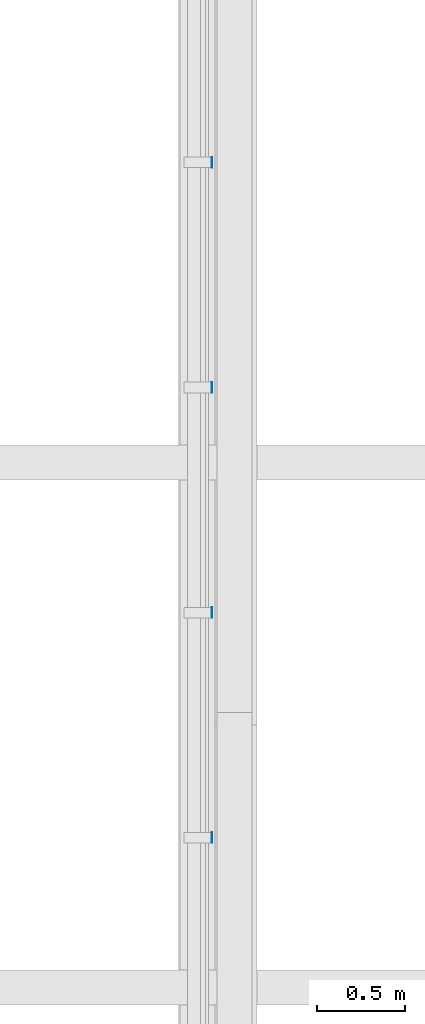
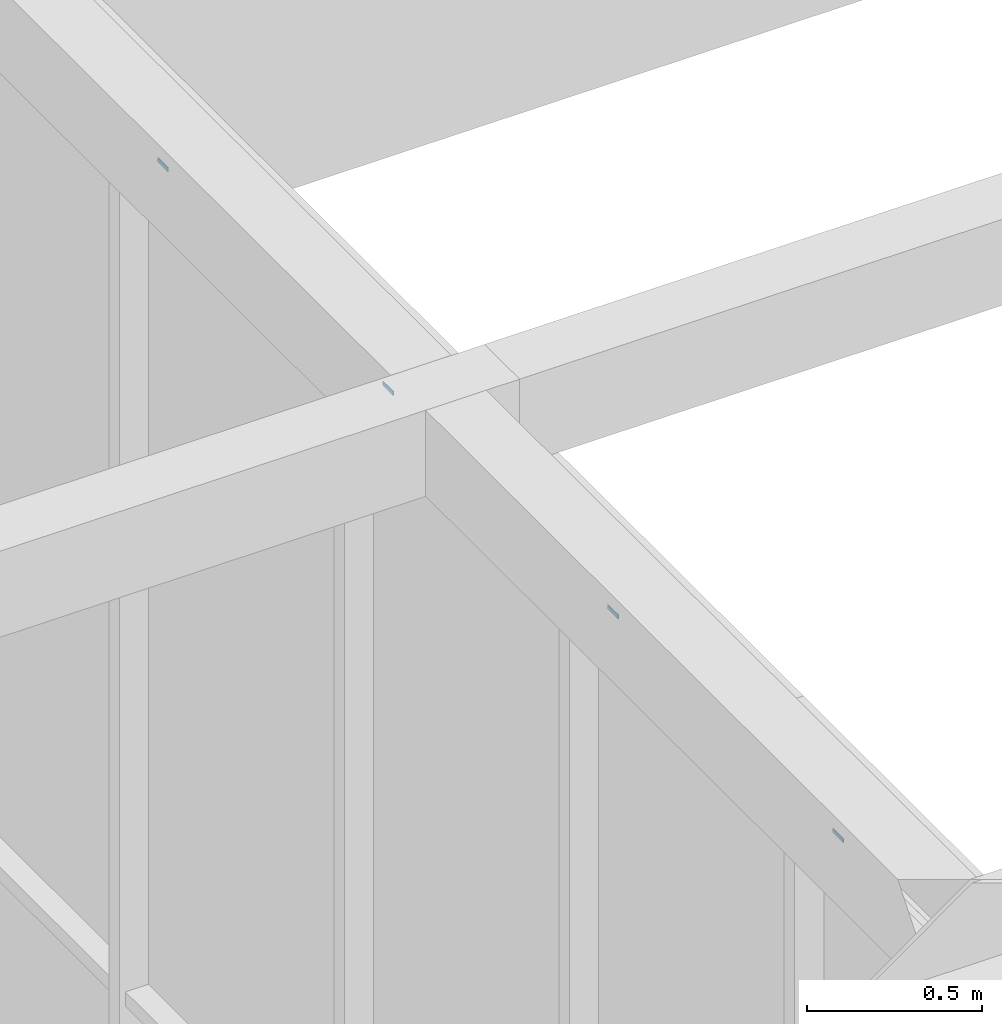
# One storey, part 622 of 646: 4 discrete accessories.
"""IFC4 building model written with IfcOpenShell, lengths in metres."""

from ifc_helpers import new_model, si_unit, direction, frame, origin, origin_2d, place, context, subcontext, project, spatial, rectangle, extrude, material, type_object, element, save


model = new_model("IFC4")

# Units and contexts
model_context = context("Model", 3, precision=1e-05, world=origin(), true_north=direction((0.0, 1.0)))
body_context = subcontext(model_context, "Body", "Model", "MODEL_VIEW")
ifc_project = project(units=[si_unit("LENGTHUNIT", "METRE"), si_unit("AREAUNIT", "SQUARE_METRE"), si_unit("VOLUMEUNIT", "CUBIC_METRE"), si_unit("PLANEANGLEUNIT", "RADIAN"), si_unit("MASSUNIT", "GRAM", prefix="KILO")], contexts=[model_context])

# Site, building, storey
site_placement = place(None, origin())
site = spatial("IfcSite", under=ifc_project, at=site_placement, CompositionType="ELEMENT")
building_placement = place(site_placement, origin())
building = spatial("IfcBuilding", under=site, at=building_placement, Name="Silverbay Arena", CompositionType="ELEMENT")
storey_placement = place(building_placement, frame((0.0, 0.0, 33.5)))
storey = spatial("IfcBuildingStorey", under=building, at=storey_placement, Name="L05", CompositionType="ELEMENT", Elevation=33.5)

# Discrete accessories
ifc_material = material(Name="Steel S355", Category="steel")
discrete_accessory_type = type_object("IfcDiscreteAccessoryType", Name="Steel bracket plate", PredefinedType="BRACKET", material=ifc_material)
for number, where, z_axis, x_axis, name in (
    (1, (53.871337890625, 147.857177734375, 12.98583984375), (0.0, 0.0, 1.0), (1.0, 0.0, 0.0), "Curtain wall packing plate"),
    (2, (53.871337890625, 149.142822265625, 12.98583984375), (0.0, 0.0, 1.0), (1.0, 0.0, 0.0), "Curtain wall packing plate"),
    (3, (53.871337890625, 150.428466796875, 12.98583984375), (0.0, 0.0, 1.0), (1.0, 0.0, 0.0), "Curtain wall packing plate"),
    (4, (53.871337890625, 151.71435546875, 12.98583984375), (0.0, 0.0, 1.0), (1.0, 0.0, 0.0), "Curtain wall packing plate"),
):
    element("IfcDiscreteAccessory", number, at=place(storey_placement, frame(where, z_axis=z_axis, x_axis=x_axis)), inside=storey, type_object=discrete_accessory_type, Name=name, PredefinedType="BRACKET", context=body_context, shape_type="SweptSolid", body=[
        extrude(rectangle(XDim=0.002685546875, YDim=0.06005859375, at=origin_2d()), origin(), (0.0, 0.0, 1.0), 0.01416015625),
    ])

save(model, "model.ifc")
